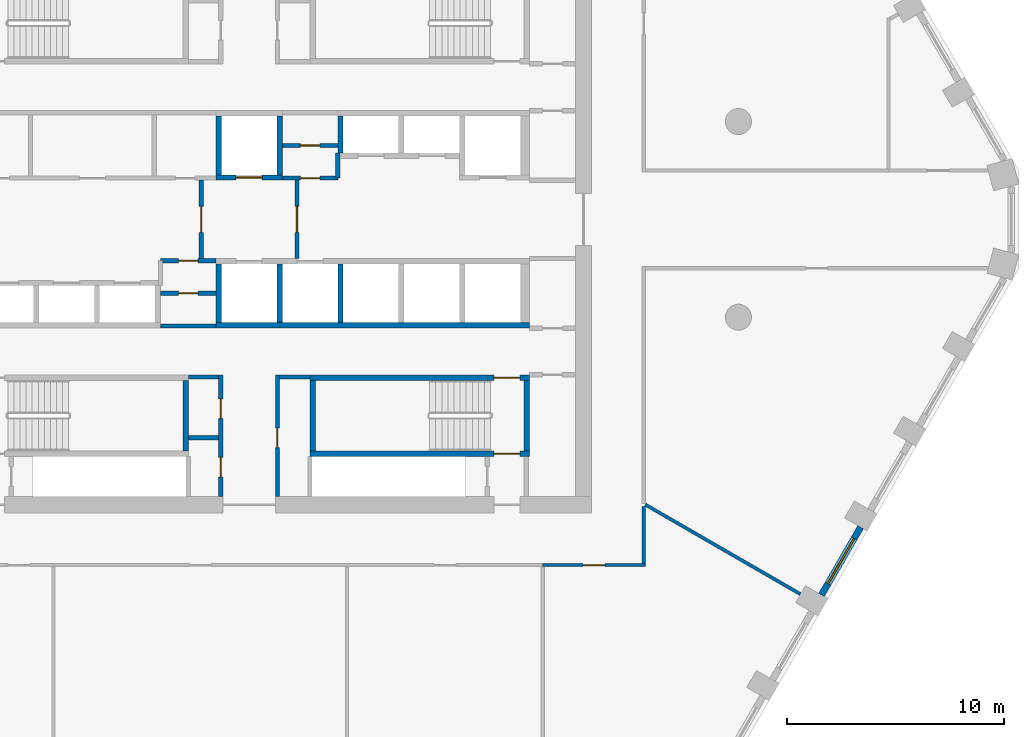
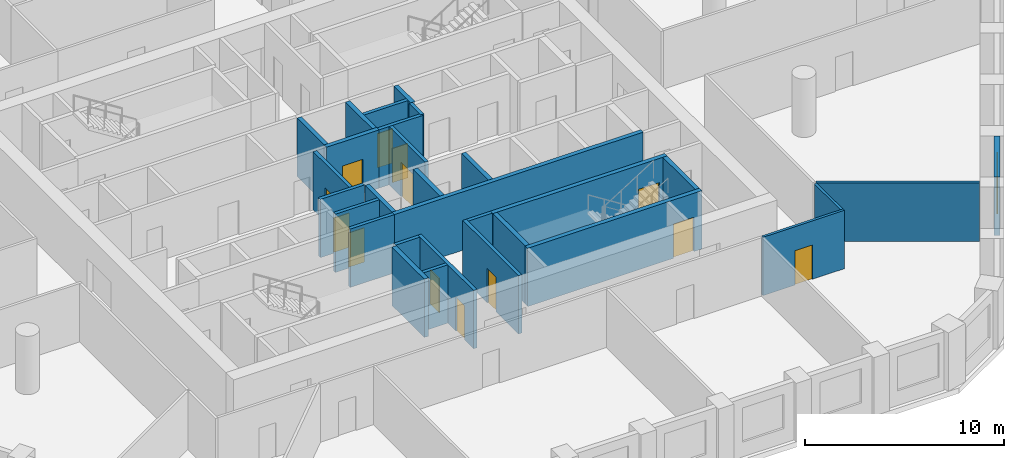
# One storey, part 4 of 9: 30 walls, 13 doors, 1 window, 14 openings.
"""IFC4 building model written with IfcOpenShell, lengths in metres."""

from ifc_helpers import new_model, si_unit, direction, frame, frame_2d, origin, place, context, subcontext, project, spatial, polyline, rectangle, outline, extrude, material, layer, layer_set, type_object, element, fill, save


model = new_model("IFC4")

# Units and contexts
model_context = context("Model", 3, precision=1e-05, world=origin(), true_north=direction((0.0, 1.0)))
body_context = subcontext(model_context, "Body", "Model", "MODEL_VIEW")
ifc_project = project(units=[si_unit("LENGTHUNIT", "METRE"), si_unit("AREAUNIT", "SQUARE_METRE"), si_unit("VOLUMEUNIT", "CUBIC_METRE"), si_unit("PLANEANGLEUNIT", "RADIAN"), si_unit("MASSUNIT", "GRAM", prefix="KILO")], contexts=[model_context])

# Site, building, storey
site_placement = place(None, origin())
site = spatial("IfcSite", under=ifc_project, at=site_placement, CompositionType="ELEMENT")
building_placement = place(site_placement, origin())
building = spatial("IfcBuilding", under=site, at=building_placement, Name="Dhurran Vertical Campus", CompositionType="ELEMENT")
storey_placement = place(building_placement, frame((0.0, 0.0, 159.89990234375)))
storey = spatial("IfcBuildingStorey", under=building, at=storey_placement, Name="L39", CompositionType="ELEMENT", Elevation=159.89990234375)

# Wall, opening, window
ifc_material_1 = material(Name="Precast concrete C50/60", Category="concrete")
ifc_layer_1 = layer(ifc_material_1, 0.300048828125)
ifc_layer_set_1 = layer_set([ifc_layer_1], Name="Precast concrete C50/60")
wall_type_1 = type_object("IfcWallType", Name="Precast spandrel wall 300", PredefinedType="SOLIDWALL", material=ifc_layer_set_1)
wall_1_placement = place(storey_placement, frame((26.3193359375, -17.273193359375, 0.0), z_axis=(0.0, 0.0, 1.0), x_axis=(0.500027802648, 0.866009351323, 0.0)))
wall_1 = element("IfcWall", 1, at=wall_1_placement, inside=storey, type_object=wall_type_1, Name="EW1 L39.11", PredefinedType="SOLIDWALL", context=body_context, shape_type="SweptSolid", body=[
    extrude(rectangle(XDim=3.598876953125, YDim=0.300048828125, at=frame_2d((1.79931640625, 0.0))), origin(), (0.0, 0.0, 1.0), 3.5751953125),
])
opening_1_placement = place(wall_1_placement, frame((0.599609375, 0.0, 0.89990234375)))
opening_1 = element("IfcOpeningElement", 2, at=opening_1_placement, cuts=wall_1, Name="Opening WT1", PredefinedType="OPENING", context=body_context, shape_type="SweptSolid", body=[
    extrude(rectangle(XDim=2.39990234375, YDim=2.10009765625, at=frame_2d((1.199951171875, 1.050048828125))), frame((0.0, 0.159912109375, 0.0), z_axis=(0.0, -1.0, 0.0), x_axis=(1.0, 0.0, 0.0)), (0.0, 0.0, 1.0), 0.320068359375),
])
ifc_material_2 = material(Name="Aluminium frame with solar-control glass", Category="aluminium")
window_type = type_object("IfcWindowType", Name="Punched window 2400 x 2100", PartitioningType="SINGLE_PANEL", PredefinedType="WINDOW", material=ifc_material_2)
window_placement = place(opening_1_placement, origin())
window = element("IfcWindow", 3, at=window_placement, inside=storey, type_object=window_type, Name="WT1 L39.11", OverallHeight=2.10009765625, OverallWidth=2.39990234375, PartitioningType="SINGLE_PANEL", PredefinedType="WINDOW", context=body_context, shape_type="SweptSolid", body=[
    extrude(rectangle(XDim=2.39990234375, YDim=2.10009765625, at=frame_2d((1.199951171875, 1.050048828125))), frame((0.0, 0.030029296875, 0.0), z_axis=(0.0, -1.0, 0.0), x_axis=(1.0, 0.0, 0.0)), (0.0, 0.0, 1.0), 0.06005859375),
])
fill(opening_1, window)

# Wall, opening, door
ifc_material_3 = material(Name="Fire-rated masonry blockwork", Category="masonry")
ifc_layer_2 = layer(ifc_material_3, 0.199951171875)
ifc_layer_set_2 = layer_set([ifc_layer_2], Name="Fire-rated masonry blockwork")
wall_type_2 = type_object("IfcWallType", Name="co-FIRE-PARTITION-200", PredefinedType="PARTITIONING", material=ifc_layer_set_2)
wall_2_placement = place(storey_placement, frame((-2.199951171875, -1.800048828125, 0.0), z_axis=(0.0, 0.0, 1.0), x_axis=(0.0, 1.0, 0.0)))
wall_2 = element("IfcWall", 4, at=wall_2_placement, inside=storey, type_object=wall_type_2, Name="Firefighting lobby wall W L39", PredefinedType="PARTITIONING", context=body_context, shape_type="SweptSolid", body=[
    extrude(rectangle(XDim=3.60009765625, YDim=0.199951171875, at=frame_2d((1.800048828125, 0.0))), origin(), (0.0, 0.0, 1.0), 3.5751953125),
])
opening_2_placement = place(wall_2_placement, frame((1.199951171875, 0.0, 0.0)))
opening_2 = element("IfcOpeningElement", 5, at=opening_2_placement, cuts=wall_2, Name="Opening FL1", PredefinedType="OPENING", context=body_context, shape_type="SweptSolid", body=[
    extrude(rectangle(XDim=1.199951171875, YDim=2.10009765625, at=frame_2d((0.60009765625, 1.050048828125))), frame((0.0, 0.10986328125, 0.0), z_axis=(0.0, -1.0, 0.0), x_axis=(1.0, 0.0, 0.0)), (0.0, 0.0, 1.0), 0.219970703125),
])
ifc_material_4 = material(Name="Fire-rated steel door set", Category="steel")
door_type_1 = type_object("IfcDoorType", Name="co-D-FFLOBBY 1200x2100", OperationType="SINGLE_SWING_LEFT", PredefinedType="DOOR", material=ifc_material_4)
door_1_placement = place(opening_2_placement, origin())
door_1 = element("IfcDoor", 6, at=door_1_placement, inside=storey, type_object=door_type_1, Name="Firefighting lobby door W L39", OperationType="SINGLE_SWING_LEFT", OverallHeight=2.10009765625, OverallWidth=1.199951171875, PredefinedType="DOOR", context=body_context, shape_type="SweptSolid", body=[
    extrude(rectangle(XDim=1.199951171875, YDim=2.10009765625, at=frame_2d((0.60009765625, 1.050048828125))), frame((0.0, 0.02490234375, 0.0), z_axis=(0.0, -1.0, 0.0), x_axis=(1.0, 0.0, 0.0)), (0.0, 0.0, 1.0), 0.050048828125),
])
fill(opening_2, door_1)

wall_3_placement = place(storey_placement, frame((2.199951171875, -1.800048828125, 0.0), z_axis=(0.0, 0.0, 1.0), x_axis=(0.0, 1.0, 0.0)))
wall_3 = element("IfcWall", 7, at=wall_3_placement, inside=storey, type_object=wall_type_2, Name="Firefighting lobby wall E L39", PredefinedType="PARTITIONING", context=body_context, shape_type="SweptSolid", body=[
    extrude(rectangle(XDim=3.60009765625, YDim=0.199951171875, at=frame_2d((1.800048828125, 0.0))), origin(), (0.0, 0.0, 1.0), 3.5751953125),
])
opening_3_placement = place(wall_3_placement, frame((1.199951171875, 0.0, 0.0)))
opening_3 = element("IfcOpeningElement", 8, at=opening_3_placement, cuts=wall_3, Name="Opening FL2", PredefinedType="OPENING", context=body_context, shape_type="SweptSolid", body=[
    extrude(rectangle(XDim=1.199951171875, YDim=2.10009765625, at=frame_2d((0.60009765625, 1.050048828125))), frame((0.0, 0.10986328125, 0.0), z_axis=(0.0, -1.0, 0.0), x_axis=(1.0, 0.0, 0.0)), (0.0, 0.0, 1.0), 0.219970703125),
])
door_2_placement = place(opening_3_placement, origin())
door_2 = element("IfcDoor", 9, at=door_2_placement, inside=storey, type_object=door_type_1, Name="Firefighting lobby door E L39", OperationType="SINGLE_SWING_LEFT", OverallHeight=2.10009765625, OverallWidth=1.199951171875, PredefinedType="DOOR", context=body_context, shape_type="SweptSolid", body=[
    extrude(rectangle(XDim=1.199951171875, YDim=2.10009765625, at=frame_2d((0.60009765625, 1.050048828125))), frame((0.0, 0.02490234375, 0.0), z_axis=(0.0, -1.0, 0.0), x_axis=(1.0, 0.0, 0.0)), (0.0, 0.0, 1.0), 0.050048828125),
])
fill(opening_3, door_2)

# Walls
for number, where, z_axis, x_axis, name in (
    (10, (-2.800048828125, -7.25, 0.0), (0.0, 0.0, 1.0), (1.0, 0.0, 0.0), "Core partition sl-SW-S L39"),
    (11, (-2.800048828125, -10.050048828125, 0.0), (0.0, 0.0, 1.0), (1.0, 0.0, 0.0), "Core partition sl-SW-cut0 L39"),
    (12, (1.39990234375, -7.25, 0.0), (0.0, 0.0, 1.0), (1.0, 0.0, 0.0), "Core partition sl-SE-S L39"),
):
    element("IfcWall", number, at=place(storey_placement, frame(where, z_axis=z_axis, x_axis=x_axis)), inside=storey, type_object=wall_type_2, Name=name, PredefinedType="PARTITIONING", context=body_context, shape_type="SweptSolid", body=[
        extrude(rectangle(XDim=1.400146484375, YDim=0.199951171875, at=frame_2d((0.7001953125, 0.0))), origin(), (0.0, 0.0, 1.0), 3.5751953125),
    ])

# Wall, openings, doors
wall_4_placement = place(storey_placement, frame((-1.300048828125, -12.75, 0.0), z_axis=(0.0, 0.0, 1.0), x_axis=(0.0, 1.0, 0.0)))
wall_4 = element("IfcWall", 13, at=wall_4_placement, inside=storey, type_object=wall_type_2, Name="Core partition vest-SW L39", PredefinedType="PARTITIONING", context=body_context, shape_type="SweptSolid", body=[
    extrude(rectangle(XDim=5.60009765625, YDim=0.199951171875, at=frame_2d((2.800048828125, 0.0))), origin(), (0.0, 0.0, 1.0), 3.5751953125),
])
opening_4_placement = place(wall_4_placement, frame((0.89990234375, 0.0, 0.0)))
opening_4 = element("IfcOpeningElement", 14, at=opening_4_placement, cuts=wall_4, Name="Opening T11-C1", PredefinedType="OPENING", context=body_context, shape_type="SweptSolid", body=[
    extrude(rectangle(XDim=0.89990234375, YDim=2.10009765625, at=frame_2d((0.449951171875, 1.050048828125))), frame((0.0, 0.10986328125, 0.0), z_axis=(0.0, -1.0, 0.0), x_axis=(1.0, 0.0, 0.0)), (0.0, 0.0, 1.0), 0.219970703125),
])
opening_5_placement = place(wall_4_placement, frame((3.60009765625, 0.0, 0.0)))
opening_5 = element("IfcOpeningElement", 15, at=opening_5_placement, cuts=wall_4, Name="Opening T11-C2", PredefinedType="OPENING", context=body_context, shape_type="SweptSolid", body=[
    extrude(rectangle(XDim=0.89990234375, YDim=2.10009765625, at=frame_2d((0.449951171875, 1.050048828125))), frame((0.0, 0.10986328125, 0.0), z_axis=(0.0, -1.0, 0.0), x_axis=(1.0, 0.0, 0.0)), (0.0, 0.0, 1.0), 0.219970703125),
])
ifc_material_5 = material(Name="Fire-rated timber door set", Category="wood")
door_type_2 = type_object("IfcDoorType", Name="co-D-ROOM 900x2100", OperationType="SINGLE_SWING_LEFT", PredefinedType="DOOR", material=ifc_material_5)
door_3_placement = place(opening_4_placement, origin())
door_3 = element("IfcDoor", 16, at=door_3_placement, inside=storey, type_object=door_type_2, Name="Cleaner's store door L39", OperationType="SINGLE_SWING_LEFT", OverallHeight=2.10009765625, OverallWidth=0.89990234375, PredefinedType="DOOR", context=body_context, shape_type="SweptSolid", body=[
    extrude(rectangle(XDim=0.89990234375, YDim=2.10009765625, at=frame_2d((0.449951171875, 1.050048828125))), frame((0.0, 0.02490234375, 0.0), z_axis=(0.0, -1.0, 0.0), x_axis=(1.0, 0.0, 0.0)), (0.0, 0.0, 1.0), 0.050048828125),
])
fill(opening_4, door_3)
door_4_placement = place(opening_5_placement, origin())
door_4 = element("IfcDoor", 17, at=door_4_placement, inside=storey, type_object=door_type_2, Name="Store door L39", OperationType="SINGLE_SWING_LEFT", OverallHeight=2.10009765625, OverallWidth=0.89990234375, PredefinedType="DOOR", context=body_context, shape_type="SweptSolid", body=[
    extrude(rectangle(XDim=0.89990234375, YDim=2.10009765625, at=frame_2d((0.449951171875, 1.050048828125))), frame((0.0, 0.02490234375, 0.0), z_axis=(0.0, -1.0, 0.0), x_axis=(1.0, 0.0, 0.0)), (0.0, 0.0, 1.0), 0.050048828125),
])
fill(opening_5, door_4)

# Wall, opening, door
wall_5_placement = place(storey_placement, frame((1.300048828125, -12.75, 0.0), z_axis=(0.0, 0.0, 1.0), x_axis=(0.0, 1.0, 0.0)))
wall_5 = element("IfcWall", 18, at=wall_5_placement, inside=storey, type_object=wall_type_2, Name="Core partition vest-SE L39", PredefinedType="PARTITIONING", context=body_context, shape_type="SweptSolid", body=[
    extrude(rectangle(XDim=5.60009765625, YDim=0.199951171875, at=frame_2d((2.800048828125, 0.0))), origin(), (0.0, 0.0, 1.0), 3.5751953125),
])
opening_6_placement = place(wall_5_placement, frame((2.25, 0.0, 0.0)))
opening_6 = element("IfcOpeningElement", 19, at=opening_6_placement, cuts=wall_5, Name="Opening T11-C3", PredefinedType="OPENING", context=body_context, shape_type="SweptSolid", body=[
    extrude(rectangle(XDim=0.89990234375, YDim=2.10009765625, at=frame_2d((0.449951171875, 1.050048828125))), frame((0.0, 0.10986328125, 0.0), z_axis=(0.0, -1.0, 0.0), x_axis=(1.0, 0.0, 0.0)), (0.0, 0.0, 1.0), 0.219970703125),
])
door_5_placement = place(opening_6_placement, origin())
door_5 = element("IfcDoor", 20, at=door_5_placement, inside=storey, type_object=door_type_2, Name="Housekeeping store door L39", OperationType="SINGLE_SWING_LEFT", OverallHeight=2.10009765625, OverallWidth=0.89990234375, PredefinedType="DOOR", context=body_context, shape_type="SweptSolid", body=[
    extrude(rectangle(XDim=0.89990234375, YDim=2.10009765625, at=frame_2d((0.449951171875, 1.050048828125))), frame((0.0, 0.02490234375, 0.0), z_axis=(0.0, -1.0, 0.0), x_axis=(1.0, 0.0, 0.0)), (0.0, 0.0, 1.0), 0.050048828125),
])
fill(opening_6, door_5)

wall_6_placement = place(storey_placement, frame((1.52490234375, 3.39990234375, 0.0), z_axis=(0.0, 0.0, 1.0), x_axis=(1.0, 0.0, 0.0)))
wall_6 = element("IfcWall", 21, at=wall_6_placement, inside=storey, type_object=wall_type_2, Name="Core partition fr-N1-c L39", PredefinedType="PARTITIONING", context=body_context, shape_type="SweptSolid", body=[
    extrude(rectangle(XDim=2.550048828125, YDim=0.199951171875, at=frame_2d((1.27490234375, 0.0))), origin(), (0.0, 0.0, 1.0), 3.5751953125),
])
opening_7_placement = place(wall_6_placement, frame((0.824951171875, 0.0, 0.0)))
opening_7 = element("IfcOpeningElement", 22, at=opening_7_placement, cuts=wall_6, Name="Opening T11-C23", PredefinedType="OPENING", context=body_context, shape_type="SweptSolid", body=[
    extrude(rectangle(XDim=0.89990234375, YDim=2.10009765625, at=frame_2d((0.449951171875, 1.050048828125))), frame((0.0, 0.10986328125, 0.0), z_axis=(0.0, -1.0, 0.0), x_axis=(1.0, 0.0, 0.0)), (0.0, 0.0, 1.0), 0.219970703125),
])
door_6_placement = place(opening_7_placement, origin())
door_6 = element("IfcDoor", 23, at=door_6_placement, inside=storey, type_object=door_type_2, Name="Pantry door L39", OperationType="SINGLE_SWING_LEFT", OverallHeight=2.10009765625, OverallWidth=0.89990234375, PredefinedType="DOOR", context=body_context, shape_type="SweptSolid", body=[
    extrude(rectangle(XDim=0.89990234375, YDim=2.10009765625, at=frame_2d((0.449951171875, 1.050048828125))), frame((0.0, 0.02490234375, 0.0), z_axis=(0.0, -1.0, 0.0), x_axis=(1.0, 0.0, 0.0)), (0.0, 0.0, 1.0), 0.050048828125),
])
fill(opening_7, door_6)

wall_7_placement = place(storey_placement, frame((1.52490234375, 1.89990234375, 0.0), z_axis=(0.0, 0.0, 1.0), x_axis=(1.0, 0.0, 0.0)))
wall_7 = element("IfcWall", 24, at=wall_7_placement, inside=storey, type_object=wall_type_2, Name="Core partition fr-N1-f L39", PredefinedType="PARTITIONING", context=body_context, shape_type="SweptSolid", body=[
    extrude(rectangle(XDim=2.550048828125, YDim=0.199951171875, at=frame_2d((1.27490234375, 0.0))), origin(), (0.0, 0.0, 1.0), 3.5751953125),
])
opening_8_placement = place(wall_7_placement, frame((0.824951171875, 0.0, 0.0)))
opening_8 = element("IfcOpeningElement", 25, at=opening_8_placement, cuts=wall_7, Name="Opening T11-C24", PredefinedType="OPENING", context=body_context, shape_type="SweptSolid", body=[
    extrude(rectangle(XDim=0.89990234375, YDim=2.10009765625, at=frame_2d((0.449951171875, 1.050048828125))), frame((0.0, 0.10986328125, 0.0), z_axis=(0.0, -1.0, 0.0), x_axis=(1.0, 0.0, 0.0)), (0.0, 0.0, 1.0), 0.219970703125),
])
door_7_placement = place(opening_8_placement, origin())
door_7 = element("IfcDoor", 26, at=door_7_placement, inside=storey, type_object=door_type_2, Name="Server room door L39", OperationType="SINGLE_SWING_LEFT", OverallHeight=2.10009765625, OverallWidth=0.89990234375, PredefinedType="DOOR", context=body_context, shape_type="SweptSolid", body=[
    extrude(rectangle(XDim=0.89990234375, YDim=2.10009765625, at=frame_2d((0.449951171875, 1.050048828125))), frame((0.0, 0.02490234375, 0.0), z_axis=(0.0, -1.0, 0.0), x_axis=(1.0, 0.0, 0.0)), (0.0, 0.0, 1.0), 0.050048828125),
])
fill(opening_8, door_7)

# Wall
wall_8_placement = place(storey_placement, frame((4.074951171875, 1.89990234375, 0.0), z_axis=(0.0, 0.0, 1.0), x_axis=(0.0, 1.0, 0.0)))
element("IfcWall", 27, at=wall_8_placement, inside=storey, type_object=wall_type_2, Name="Core partition fr-N1-n1 L39", PredefinedType="PARTITIONING", context=body_context, shape_type="SweptSolid", body=[
    extrude(rectangle(XDim=1.150146484375, YDim=0.199951171875, at=frame_2d((0.5751953125, 0.0))), origin(), (0.0, 0.0, 1.0), 3.5751953125),
])

# Wall, opening, door
wall_9_placement = place(storey_placement, frame((-4.074951171875, -3.39990234375, 0.0), z_axis=(0.0, 0.0, 1.0), x_axis=(1.0, 0.0, 0.0)))
wall_9 = element("IfcWall", 28, at=wall_9_placement, inside=storey, type_object=wall_type_2, Name="Core partition fr-S0-c L39", PredefinedType="PARTITIONING", context=body_context, shape_type="SweptSolid", body=[
    extrude(rectangle(XDim=2.550048828125, YDim=0.199951171875, at=frame_2d((1.27490234375, 0.0))), origin(), (0.0, 0.0, 1.0), 3.5751953125),
])
opening_9_placement = place(wall_9_placement, frame((0.824951171875, 0.0, 0.0)))
opening_9 = element("IfcOpeningElement", 29, at=opening_9_placement, cuts=wall_9, Name="Opening T11-C25", PredefinedType="OPENING", context=body_context, shape_type="SweptSolid", body=[
    extrude(rectangle(XDim=0.89990234375, YDim=2.10009765625, at=frame_2d((0.449951171875, 1.050048828125))), frame((0.0, 0.10986328125, 0.0), z_axis=(0.0, -1.0, 0.0), x_axis=(1.0, 0.0, 0.0)), (0.0, 0.0, 1.0), 0.219970703125),
])
door_8_placement = place(opening_9_placement, origin())
door_8 = element("IfcDoor", 30, at=door_8_placement, inside=storey, type_object=door_type_2, Name="Housekeeping store door L39", OperationType="SINGLE_SWING_LEFT", OverallHeight=2.10009765625, OverallWidth=0.89990234375, PredefinedType="DOOR", context=body_context, shape_type="SweptSolid", body=[
    extrude(rectangle(XDim=0.89990234375, YDim=2.10009765625, at=frame_2d((0.449951171875, 1.050048828125))), frame((0.0, 0.02490234375, 0.0), z_axis=(0.0, -1.0, 0.0), x_axis=(1.0, 0.0, 0.0)), (0.0, 0.0, 1.0), 0.050048828125),
])
fill(opening_9, door_8)

wall_10_placement = place(storey_placement, frame((-4.074951171875, -1.89990234375, 0.0), z_axis=(0.0, 0.0, 1.0), x_axis=(1.0, 0.0, 0.0)))
wall_10 = element("IfcWall", 31, at=wall_10_placement, inside=storey, type_object=wall_type_2, Name="Core partition fr-S0-f L39", PredefinedType="PARTITIONING", context=body_context, shape_type="SweptSolid", body=[
    extrude(rectangle(XDim=2.550048828125, YDim=0.199951171875, at=frame_2d((1.27490234375, 0.0))), origin(), (0.0, 0.0, 1.0), 3.5751953125),
])
opening_10_placement = place(wall_10_placement, frame((0.824951171875, 0.0, 0.0)))
opening_10 = element("IfcOpeningElement", 32, at=opening_10_placement, cuts=wall_10, Name="Opening T11-C26", PredefinedType="OPENING", context=body_context, shape_type="SweptSolid", body=[
    extrude(rectangle(XDim=0.89990234375, YDim=2.10009765625, at=frame_2d((0.449951171875, 1.050048828125))), frame((0.0, 0.10986328125, 0.0), z_axis=(0.0, -1.0, 0.0), x_axis=(1.0, 0.0, 0.0)), (0.0, 0.0, 1.0), 0.219970703125),
])
door_9_placement = place(opening_10_placement, origin())
door_9 = element("IfcDoor", 33, at=door_9_placement, inside=storey, type_object=door_type_2, Name="Pantry door L39", OperationType="SINGLE_SWING_LEFT", OverallHeight=2.10009765625, OverallWidth=0.89990234375, PredefinedType="DOOR", context=body_context, shape_type="SweptSolid", body=[
    extrude(rectangle(XDim=0.89990234375, YDim=2.10009765625, at=frame_2d((0.449951171875, 1.050048828125))), frame((0.0, 0.02490234375, 0.0), z_axis=(0.0, -1.0, 0.0), x_axis=(1.0, 0.0, 0.0)), (0.0, 0.0, 1.0), 0.050048828125),
])
fill(opening_10, door_9)

# Wall
wall_11_placement = place(storey_placement, frame((-4.074951171875, -4.89990234375, 0.0), z_axis=(0.0, 0.0, 1.0), x_axis=(1.0, 0.0, 0.0)))
element("IfcWall", 34, at=wall_11_placement, inside=storey, type_object=wall_type_2, Name="Core partition fr-S0-b L39", PredefinedType="PARTITIONING", context=body_context, shape_type="SweptSolid", body=[
    extrude(rectangle(XDim=2.550048828125, YDim=0.199951171875, at=frame_2d((1.27490234375, 0.0))), origin(), (0.0, 0.0, 1.0), 3.5751953125),
])

# Wall, opening, door
ifc_material_6 = material(Name="Concrete C50/60", Category="concrete")
ifc_layer_3 = layer(ifc_material_6, 0.25)
ifc_layer_set_3 = layer_set([ifc_layer_3], Name="Concrete C50/60")
wall_type_3 = type_object("IfcWallType", Name="co-SHAFT-FRONT-250", PredefinedType="SHEAR", material=ifc_layer_set_3)
wall_12_placement = place(storey_placement, frame((-1.52490234375, 1.925048828125, 0.0), z_axis=(0.0, 0.0, 1.0), x_axis=(1.0, 0.0, 0.0)))
wall_12 = element("IfcWall", 35, at=wall_12_placement, inside=storey, type_object=wall_type_3, Name="Lift landing wall N L39", PredefinedType="SHEAR", context=body_context, shape_type="SweptSolid", body=[
    extrude(rectangle(XDim=3.0498046875, YDim=0.25, at=frame_2d((1.52490234375, 0.0))), origin(), (0.0, 0.0, 1.0), 3.5751953125),
])
opening_11_placement = place(wall_12_placement, frame((0.925048828125, 0.0, 0.0)))
opening_11 = element("IfcOpeningElement", 36, at=opening_11_placement, cuts=wall_12, Name="Opening LD", PredefinedType="OPENING", context=body_context, shape_type="SweptSolid", body=[
    extrude(rectangle(XDim=1.199951171875, YDim=2.10009765625, at=frame_2d((0.60009765625, 1.050048828125))), frame((0.0, 0.135009765625, 0.0), z_axis=(0.0, -1.0, 0.0), x_axis=(1.0, 0.0, 0.0)), (0.0, 0.0, 1.0), 0.27001953125),
])
ifc_material_7 = material(Name="Stainless steel landing door", Category="steel")
door_type_3 = type_object("IfcDoorType", Name="co-D-LANDING 1200x2100", OperationType="DOUBLE_DOOR_SLIDING", PredefinedType="DOOR", material=ifc_material_7)
door_10_placement = place(opening_11_placement, origin())
door_10 = element("IfcDoor", 37, at=door_10_placement, inside=storey, type_object=door_type_3, Name="Landing door FF1 L39", OperationType="DOUBLE_DOOR_SLIDING", OverallHeight=2.10009765625, OverallWidth=1.199951171875, PredefinedType="DOOR", context=body_context, shape_type="SweptSolid", body=[
    extrude(rectangle(XDim=1.199951171875, YDim=2.10009765625, at=frame_2d((0.60009765625, 1.050048828125))), frame((0.0, 0.02490234375, 0.0), z_axis=(0.0, -1.0, 0.0), x_axis=(1.0, 0.0, 0.0)), (0.0, 0.0, 1.0), 0.050048828125),
])
fill(opening_11, door_10)

# Walls
ifc_material_8 = material(Name="Concrete C50/60", Category="concrete")
ifc_layer_4 = layer(ifc_material_8, 0.25)
ifc_layer_set_4 = layer_set([ifc_layer_4], Name="Concrete C50/60")
wall_type_4 = type_object("IfcWallType", Name="co-SHAFT-MASS-250", PredefinedType="SHEAR", material=ifc_layer_set_4)
wall_13_placement = place(storey_placement, origin())
element("IfcWall", 38, at=wall_13_placement, inside=storey, type_object=wall_type_4, Name="Lift shaft wall N L39 3", PredefinedType="SHEAR", context=body_context, shape_type="SweptSolid", body=[
    extrude(outline(polyline([(-1.52490234375, 2.050048828125), (-1.27490234375, 2.050048828125), (-1.27490234375, 4.75), (-1.52490234375, 4.75), (-1.52490234375, 2.050048828125)])), origin(), (0.0, 0.0, 1.0), 3.5751953125),
])
wall_14_placement = place(storey_placement, origin())
element("IfcWall", 39, at=wall_14_placement, inside=storey, type_object=wall_type_4, Name="Lift shaft wall N L39 4", PredefinedType="SHEAR", context=body_context, shape_type="SweptSolid", body=[
    extrude(outline(polyline([(1.27490234375, 2.050048828125), (1.52490234375, 2.050048828125), (1.52490234375, 4.75), (1.27490234375, 4.75), (1.27490234375, 2.050048828125)])), origin(), (0.0, 0.0, 1.0), 3.5751953125),
])
wall_15_placement = place(storey_placement, origin())
element("IfcWall", 40, at=wall_15_placement, inside=storey, type_object=wall_type_4, Name="Lift shaft wall N L39 7", PredefinedType="SHEAR", context=body_context, shape_type="SweptSolid", body=[
    extrude(outline(polyline([(4.074951171875, 3.050048828125), (4.324951171875, 3.050048828125), (4.324951171875, 4.75), (4.074951171875, 4.75), (4.074951171875, 3.050048828125)])), origin(), (0.0, 0.0, 1.0), 3.5751953125),
])
wall_16_placement = place(storey_placement, origin())
element("IfcWall", 41, at=wall_16_placement, inside=storey, type_object=wall_type_4, Name="Lift shaft wall S L39 2", PredefinedType="SHEAR", context=body_context, shape_type="SweptSolid", body=[
    extrude(outline(polyline([(-1.52490234375, -5.0), (12.89990234375, -5.0), (12.89990234375, -4.75), (-1.52490234375, -4.75), (-1.52490234375, -5.0)])), origin(), (0.0, 0.0, 1.0), 3.5751953125),
])
wall_17_placement = place(storey_placement, origin())
element("IfcWall", 42, at=wall_17_placement, inside=storey, type_object=wall_type_4, Name="Lift shaft wall S L39 7", PredefinedType="SHEAR", context=body_context, shape_type="SweptSolid", body=[
    extrude(outline(polyline([(-1.52490234375, -4.75), (-1.27490234375, -4.75), (-1.27490234375, -2.050048828125), (-1.52490234375, -2.050048828125), (-1.52490234375, -4.75)])), origin(), (0.0, 0.0, 1.0), 3.5751953125),
])
wall_18_placement = place(storey_placement, origin())
element("IfcWall", 43, at=wall_18_placement, inside=storey, type_object=wall_type_4, Name="Lift shaft wall S L39 8", PredefinedType="SHEAR", context=body_context, shape_type="SweptSolid", body=[
    extrude(outline(polyline([(1.27490234375, -4.75), (1.52490234375, -4.75), (1.52490234375, -2.050048828125), (1.27490234375, -2.050048828125), (1.27490234375, -4.75)])), origin(), (0.0, 0.0, 1.0), 3.5751953125),
])
wall_19_placement = place(storey_placement, origin())
element("IfcWall", 44, at=wall_19_placement, inside=storey, type_object=wall_type_4, Name="Lift shaft wall S L39 9", PredefinedType="SHEAR", context=body_context, shape_type="SweptSolid", body=[
    extrude(outline(polyline([(4.074951171875, -4.75), (4.324951171875, -4.75), (4.324951171875, -2.050048828125), (4.074951171875, -2.050048828125), (4.074951171875, -4.75)])), origin(), (0.0, 0.0, 1.0), 3.5751953125),
])
ifc_material_9 = material(Name="Concrete C40/50", Category="concrete")
ifc_layer_5 = layer(ifc_material_9, 0.25)
ifc_layer_set_5 = layer_set([ifc_layer_5], Name="Concrete C40/50")
wall_type_5 = type_object("IfcWallType", Name="co-STAIR-WALL-250", PredefinedType="SHEAR", material=ifc_layer_set_5)
wall_20_placement = place(storey_placement, frame((-2.925048828125, -10.64990234375, 0.0), z_axis=(0.0, 0.0, 1.0), x_axis=(0.0, 1.0, 0.0)))
element("IfcWall", 45, at=wall_20_placement, inside=storey, type_object=wall_type_5, Name="Stair ST3 enclosure wall L39", PredefinedType="SHEAR", context=body_context, shape_type="SweptSolid", body=[
    extrude(rectangle(XDim=3.25, YDim=0.25, at=frame_2d((1.625, 0.0))), origin(), (0.0, 0.0, 1.0), 3.5751953125),
])

# Wall, opening, door
wall_21_placement = place(storey_placement, frame((2.800048828125, -10.77490234375, 0.0), z_axis=(0.0, 0.0, 1.0), x_axis=(1.0, 0.0, 0.0)))
wall_21 = element("IfcWall", 46, at=wall_21_placement, inside=storey, type_object=wall_type_5, Name="Stair ST4 enclosure wall L39", PredefinedType="SHEAR", context=body_context, shape_type="SweptSolid", body=[
    extrude(rectangle(XDim=10.099853515625, YDim=0.25, at=frame_2d((5.0498046875, 0.0))), origin(), (0.0, 0.0, 1.0), 3.5751953125),
])
opening_12_placement = place(wall_21_placement, frame((8.449951171875, 0.0, 0.0)))
opening_12 = element("IfcOpeningElement", 47, at=opening_12_placement, cuts=wall_21, Name="Opening XS4", PredefinedType="OPENING", context=body_context, shape_type="SweptSolid", body=[
    extrude(rectangle(XDim=1.199951171875, YDim=2.10009765625, at=frame_2d((0.60009765625, 1.050048828125))), frame((0.0, 0.135009765625, 0.0), z_axis=(0.0, -1.0, 0.0), x_axis=(1.0, 0.0, 0.0)), (0.0, 0.0, 1.0), 0.27001953125),
])
ifc_material_10 = material(Name="Fire-rated steel door set", Category="steel")
door_type_4 = type_object("IfcDoorType", Name="co-D-STAIR-EXIT 1200x2100", OperationType="SINGLE_SWING_RIGHT", PredefinedType="DOOR", material=ifc_material_10)
door_11_placement = place(opening_12_placement, origin())
door_11 = element("IfcDoor", 48, at=door_11_placement, inside=storey, type_object=door_type_4, Name="Stair ST4 discharge door L39", OperationType="SINGLE_SWING_RIGHT", OverallHeight=2.10009765625, OverallWidth=1.199951171875, PredefinedType="DOOR", context=body_context, shape_type="SweptSolid", body=[
    extrude(rectangle(XDim=1.199951171875, YDim=2.10009765625, at=frame_2d((0.60009765625, 1.050048828125))), frame((0.0, 0.02490234375, 0.0), z_axis=(0.0, -1.0, 0.0), x_axis=(1.0, 0.0, 0.0)), (0.0, 0.0, 1.0), 0.050048828125),
])
fill(opening_12, door_11)

wall_22_placement = place(storey_placement, frame((2.800048828125, -7.27490234375, 0.0), z_axis=(0.0, 0.0, 1.0), x_axis=(1.0, 0.0, 0.0)))
wall_22 = element("IfcWall", 49, at=wall_22_placement, inside=storey, type_object=wall_type_5, Name="Stair ST4 enclosure wall L39", PredefinedType="SHEAR", context=body_context, shape_type="SweptSolid", body=[
    extrude(rectangle(XDim=10.099853515625, YDim=0.25, at=frame_2d((5.0498046875, 0.0))), origin(), (0.0, 0.0, 1.0), 3.5751953125),
])
opening_13_placement = place(wall_22_placement, frame((8.449951171875, 0.0, 0.0)))
opening_13 = element("IfcOpeningElement", 50, at=opening_13_placement, cuts=wall_22, Name="Opening SD4", PredefinedType="OPENING", context=body_context, shape_type="SweptSolid", body=[
    extrude(rectangle(XDim=1.199951171875, YDim=2.10009765625, at=frame_2d((0.60009765625, 1.050048828125))), frame((0.0, 0.135009765625, 0.0), z_axis=(0.0, -1.0, 0.0), x_axis=(1.0, 0.0, 0.0)), (0.0, 0.0, 1.0), 0.27001953125),
])
ifc_material_11 = material(Name="Fire-rated steel door set", Category="steel")
door_type_5 = type_object("IfcDoorType", Name="co-D-STAIR 1200x2100", OperationType="SINGLE_SWING_LEFT", PredefinedType="DOOR", material=ifc_material_11)
door_12_placement = place(opening_13_placement, origin())
door_12 = element("IfcDoor", 51, at=door_12_placement, inside=storey, type_object=door_type_5, Name="Stair ST4 door L39", OperationType="SINGLE_SWING_LEFT", OverallHeight=2.10009765625, OverallWidth=1.199951171875, PredefinedType="DOOR", context=body_context, shape_type="SweptSolid", body=[
    extrude(rectangle(XDim=1.199951171875, YDim=2.10009765625, at=frame_2d((0.60009765625, 1.050048828125))), frame((0.0, 0.02490234375, 0.0), z_axis=(0.0, -1.0, 0.0), x_axis=(1.0, 0.0, 0.0)), (0.0, 0.0, 1.0), 0.050048828125),
])
fill(opening_13, door_12)

# Walls
for number, where, z_axis, x_axis, name in (
    (52, (2.925048828125, -10.64990234375, 0.0), (0.0, 0.0, 1.0), (0.0, 1.0, 0.0), "Stair ST4 enclosure wall L39"),
    (53, (12.77490234375, -10.64990234375, 0.0), (0.0, 0.0, 1.0), (0.0, 1.0, 0.0), "Stair ST4 enclosure wall L39"),
):
    element("IfcWall", number, at=place(storey_placement, frame(where, z_axis=z_axis, x_axis=x_axis)), inside=storey, type_object=wall_type_5, Name=name, PredefinedType="SHEAR", context=body_context, shape_type="SweptSolid", body=[
        extrude(rectangle(XDim=3.25, YDim=0.25, at=frame_2d((1.625, 0.0))), origin(), (0.0, 0.0, 1.0), 3.5751953125),
    ])

# Wall, opening, door
ifc_material_12 = material(Name="Gypsum board corridor wall on steel studs", Category="steel")
ifc_layer_6 = layer(ifc_material_12, 0.14990234375)
ifc_layer_set_6 = layer_set([ifc_layer_6], Name="Gypsum board corridor wall on steel studs")
wall_type_6 = type_object("IfcWallType", Name="fl-CW-150 corridor wall", PredefinedType="PARTITIONING", material=ifc_layer_set_6)
wall_23_placement = place(storey_placement, frame((13.5, -15.89990234375, 0.0), z_axis=(0.0, 0.0, 1.0), x_axis=(1.0, 0.0, 0.0)))
wall_23 = element("IfcWall", 54, at=wall_23_placement, inside=storey, type_object=wall_type_6, Name="Partition 39-34", PredefinedType="PARTITIONING", context=body_context, shape_type="SweptSolid", body=[
    extrude(rectangle(XDim=4.72509765625, YDim=0.14990234375, at=frame_2d((2.362548828125, 0.0))), origin(), (0.0, 0.0, 1.0), 3.5751953125),
])
opening_14_placement = place(wall_23_placement, frame((1.862548828125, 0.0, 0.0)))
opening_14 = element("IfcOpeningElement", 55, at=opening_14_placement, cuts=wall_23, Name="Opening T11.14", PredefinedType="OPENING", context=body_context, shape_type="SweptSolid", body=[
    extrude(rectangle(XDim=1.0, YDim=2.10009765625, at=frame_2d((0.5, 1.050048828125))), frame((0.0, 0.0849609375, 0.0), z_axis=(0.0, -1.0, 0.0), x_axis=(1.0, 0.0, 0.0)), (0.0, 0.0, 1.0), 0.169921875),
])
ifc_material_13 = material(Name="Solid-core timber door set, fire-rated", Category="wood")
door_type_6 = type_object("IfcDoorType", Name="fl-D-1000x2100", OperationType="SINGLE_SWING_LEFT", PredefinedType="DOOR", material=ifc_material_13)
door_13_placement = place(opening_14_placement, origin())
door_13 = element("IfcDoor", 56, at=door_13_placement, inside=storey, type_object=door_type_6, Name="Door 39.14", OperationType="SINGLE_SWING_LEFT", OverallHeight=2.10009765625, OverallWidth=1.0, PredefinedType="DOOR", context=body_context, shape_type="SweptSolid", body=[
    extrude(rectangle(XDim=1.0, YDim=2.10009765625, at=frame_2d((0.5, 1.050048828125))), frame((0.0, 0.02490234375, 0.0), z_axis=(0.0, -1.0, 0.0), x_axis=(1.0, 0.0, 0.0)), (0.0, 0.0, 1.0), 0.050048828125),
])
fill(opening_14, door_13)

# Walls
wall_24_placement = place(storey_placement, frame((18.14990234375, -15.824951171875, 0.0), z_axis=(0.0, 0.0, 1.0), x_axis=(0.0, 1.0, 0.0)))
element("IfcWall", 57, at=wall_24_placement, inside=storey, type_object=wall_type_6, Name="Partition 39-38", PredefinedType="PARTITIONING", context=body_context, shape_type="SweptSolid", body=[
    extrude(rectangle(XDim=2.617919921875, YDim=0.14990234375, at=frame_2d((1.30908203125, 0.0))), origin(), (0.0, 0.0, 1.0), 3.5751953125),
])
ifc_material_14 = material(Name="Gypsum board partition on steel studs", Category="steel")
ifc_layer_7 = layer(ifc_material_14, 0.14990234375)
ifc_layer_set_7 = layer_set([ifc_layer_7], Name="Gypsum board partition on steel studs")
wall_type_7 = type_object("IfcWallType", Name="fl-PW-150 fixed partition", PredefinedType="PARTITIONING", material=ifc_layer_set_7)
wall_25_placement = place(storey_placement, frame((18.215087890625, -13.114501953125, 0.0), z_axis=(0.0, 0.0, 1.0), x_axis=(0.866039823271, -0.499975023885, 0.0)))
element("IfcWall", 58, at=wall_25_placement, inside=storey, type_object=wall_type_7, Name="Partition 39-40", PredefinedType="PARTITIONING", context=body_context, shape_type="SweptSolid", body=[
    extrude(rectangle(XDim=8.22802734375, YDim=0.14990234375, at=frame_2d((4.114013671875, 0.0))), origin(), (0.0, 0.0, 1.0), 3.5751953125),
])

save(model, "model.ifc")
